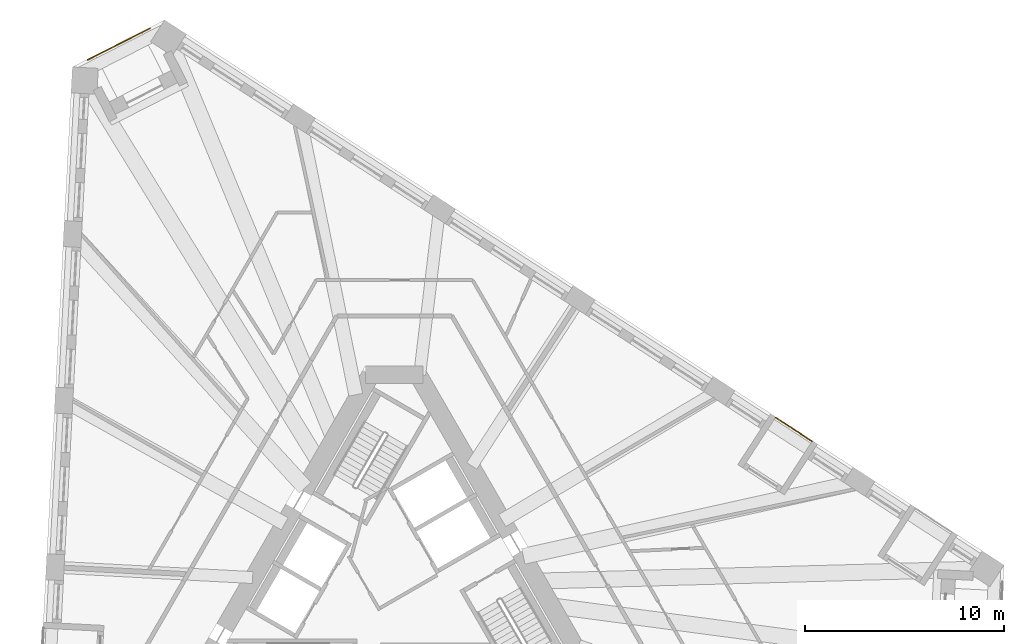
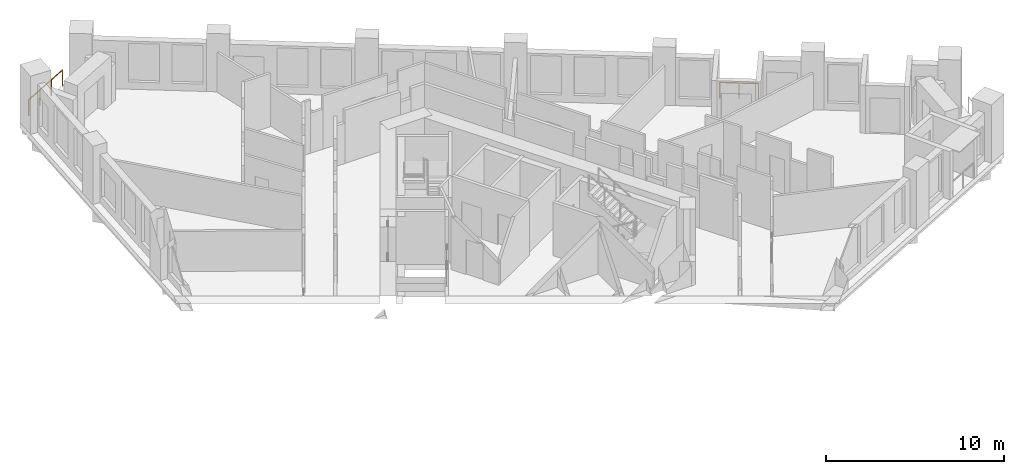
# One storey, part 12 of 12: 2 railings.
"""IFC4 building model written with IfcOpenShell, lengths in metres."""

from ifc_helpers import new_model, si_unit, direction, frame, origin, origin_2d, place, context, subcontext, project, spatial, circle, extrude, material, type_object, element, save


model = new_model("IFC4")

# Units and contexts
model_context = context("Model", 3, precision=1e-05, world=origin(), true_north=direction((0.0, 1.0)))
body_context = subcontext(model_context, "Body", "Model", "MODEL_VIEW")
ifc_project = project(units=[si_unit("LENGTHUNIT", "METRE"), si_unit("AREAUNIT", "SQUARE_METRE"), si_unit("VOLUMEUNIT", "CUBIC_METRE"), si_unit("PLANEANGLEUNIT", "RADIAN"), si_unit("MASSUNIT", "GRAM", prefix="KILO")], contexts=[model_context])

# Site, building, storey
site_placement = place(None, origin())
site = spatial("IfcSite", under=ifc_project, at=site_placement, CompositionType="ELEMENT")
building_placement = place(site_placement, origin())
building = spatial("IfcBuilding", under=site, at=building_placement, Name="Tramontana Tower", CompositionType="ELEMENT")
storey_placement = place(building_placement, frame((0.0, 0.0, 129.60009765625)))
storey = spatial("IfcBuildingStorey", under=building, at=storey_placement, Name="L29", CompositionType="ELEMENT", Elevation=129.60009765625)

# Railings
ifc_material = material(Name="Laminated glass balustrade", Category="glass")
railing_type = type_object("IfcRailingType", Name="GD1 Loggia glass balustrade 1100", PredefinedType="BALUSTRADE", material=ifc_material)
railing_1_placement = place(storey_placement, frame((20.96484375, 7.2158203125, 0.0)))
element("IfcRailing", 1, at=railing_1_placement, inside=storey, type_object=railing_type, Name="Loggia balustrade L29 G3S2.4", PredefinedType="BALUSTRADE", context=body_context, shape_type="SweptSolid", body=[
    extrude(circle(Radius=0.02392578125, at=origin_2d()), frame((0.0, 0.0, 1.076171875), z_axis=(-0.838659986147, 0.544655329209, 0.0), x_axis=(-0.544655329209, -0.838659986147, 0.0)), (0.0, 0.0, 1.0), 2.190673828125),
    extrude(circle(Radius=0.02099609375, at=origin_2d()), origin(), (0.0, 0.0, 1.0), 1.052001953125),
    extrude(circle(Radius=0.02099609375, at=origin_2d()), frame((-0.91845703125, 0.5966796875, 0.0)), (0.0, 0.0, 1.0), 1.052001953125),
    extrude(circle(Radius=0.02099609375, at=origin_2d()), frame((-1.837158203125, 1.193115234375, 0.0)), (0.0, 0.0, 1.0), 1.052001953125),
])
railing_2_placement = place(storey_placement, frame((-15.392333984375, 26.3544921875, 0.0)))
element("IfcRailing", 2, at=railing_2_placement, inside=storey, type_object=railing_type, Name="Corner loggia balustrade L29 K30", PredefinedType="BALUSTRADE", context=body_context, shape_type="SweptSolid", body=[
    extrude(circle(Radius=0.02392578125, at=origin_2d()), frame((0.0, 0.0, 1.076171875), z_axis=(0.891011280655, 0.453981164527, 0.0), x_axis=(-0.453981164527, 0.891011280655, 0.0)), (0.0, 0.0, 1.0), 3.499755859375),
    extrude(circle(Radius=0.02099609375, at=origin_2d()), origin(), (0.0, 0.0, 1.0), 1.052001953125),
    extrude(circle(Radius=0.02099609375, at=origin_2d()), frame((1.03955078125, 0.529541015625, 0.0)), (0.0, 0.0, 1.0), 1.052001953125),
    extrude(circle(Radius=0.02099609375, at=origin_2d()), frame((2.078857421875, 1.059326171875, 0.0)), (0.0, 0.0, 1.0), 1.052001953125),
    extrude(circle(Radius=0.02099609375, at=origin_2d()), frame((3.118408203125, 1.5888671875, 0.0)), (0.0, 0.0, 1.0), 1.052001953125),
])

save(model, "model.ifc")
